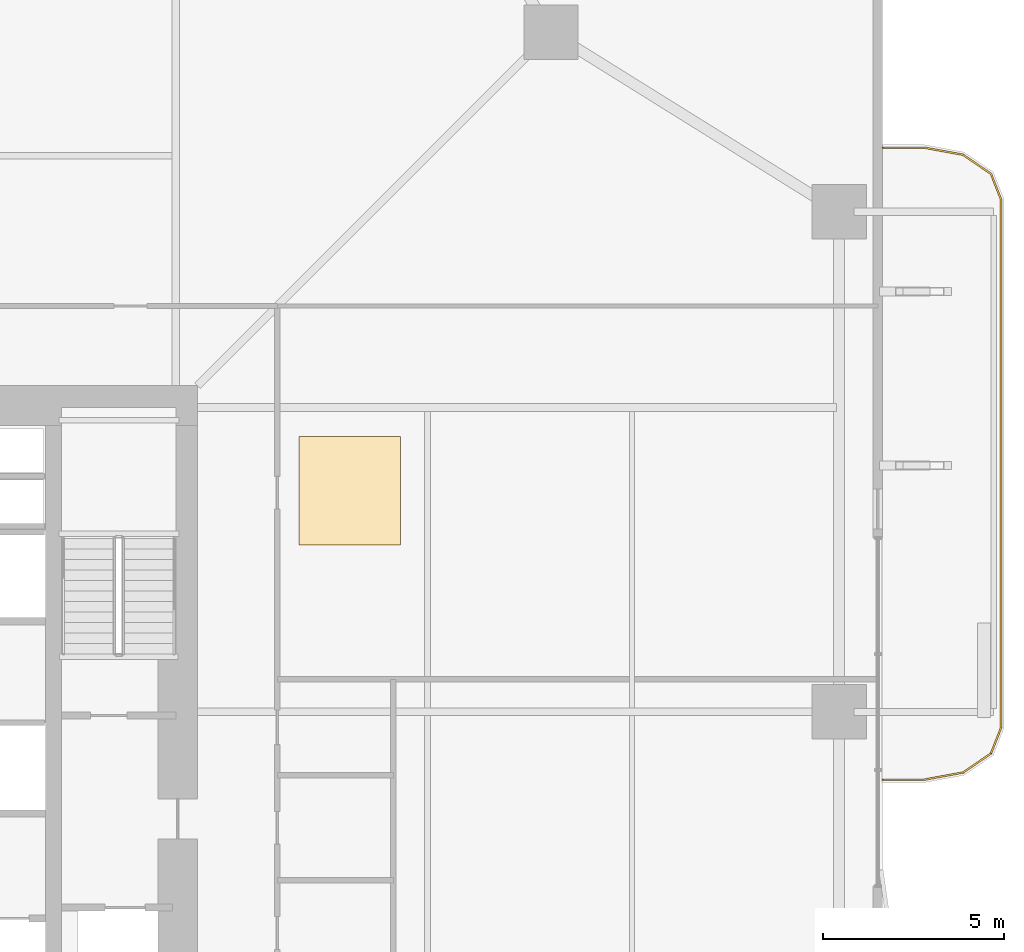
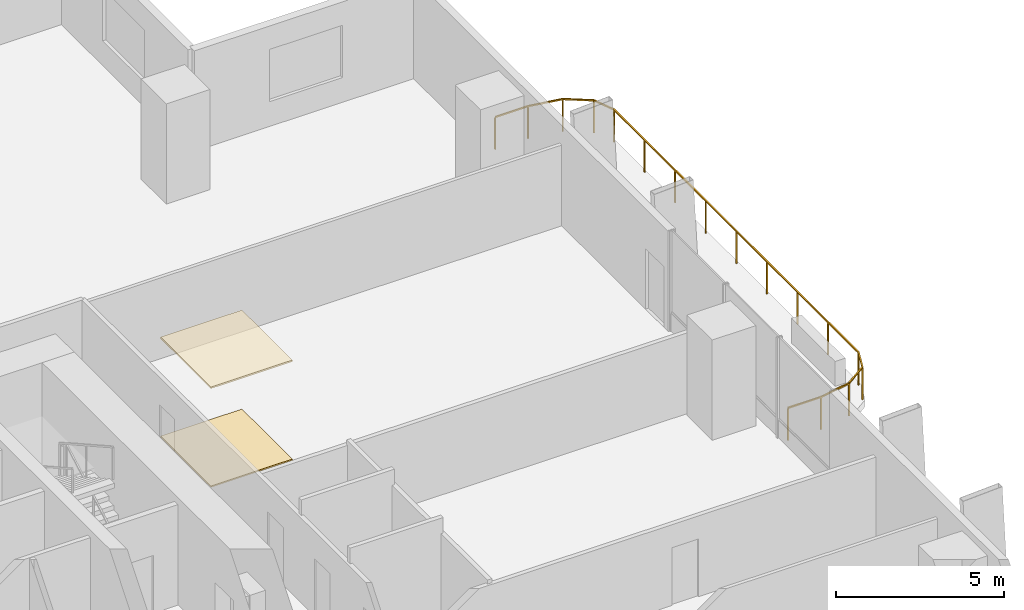
# One storey, part 24 of 24: 2 coverings, 1 railing.
"""IFC4 building model written with IfcOpenShell, lengths in metres."""

from ifc_helpers import new_model, si_unit, direction, frame, origin, origin_2d, place, context, subcontext, project, spatial, polyline, rectangle, outline, extrude, material, layer, layer_set, type_object, element, save


model = new_model("IFC4")

# Units and contexts
model_context = context("Model", 3, precision=1e-05, world=origin(), true_north=direction((0.0, 1.0)))
body_context = subcontext(model_context, "Body", "Model", "MODEL_VIEW")
ifc_project = project(units=[si_unit("LENGTHUNIT", "METRE"), si_unit("AREAUNIT", "SQUARE_METRE"), si_unit("VOLUMEUNIT", "CUBIC_METRE"), si_unit("PLANEANGLEUNIT", "RADIAN"), si_unit("MASSUNIT", "GRAM", prefix="KILO")], contexts=[model_context])

# Site, building, storey
site_placement = place(None, origin())
site = spatial("IfcSite", under=ifc_project, at=site_placement, CompositionType="ELEMENT")
building_placement = place(site_placement, origin())
building = spatial("IfcBuilding", under=site, at=building_placement, Name="Belovzor Exchange Tower", CompositionType="ELEMENT")
storey_placement = place(building_placement, frame((0.0, 0.0, 72.89990234375)))
storey = spatial("IfcBuildingStorey", under=building, at=storey_placement, Name="L17", CompositionType="ELEMENT", Elevation=72.89990234375)

# Railing
ifc_material_1 = material(Name="Stainless Steel and Laminated Safety Glass", Category="steel")
railing_type = type_object("IfcRailingType", Name="Laminated Glass & Stainless Steel Balcony Balustrade 1200", PredefinedType="BALUSTRADE", material=ifc_material_1)
railing_placement = place(storey_placement, frame((56.7099609375, 26.929931640625, 0.0)))
element("IfcRailing", 1, at=railing_placement, inside=storey, type_object=railing_type, Name="GR-1 Balcony Balustrade L17 East", PredefinedType="BALUSTRADE", context=body_context, shape_type="SweptSolid", body=[
    extrude(rectangle(XDim=0.048095703125, YDim=0.048095703125, at=origin_2d()), frame((0.0, 0.0, 1.17578125), z_axis=(1.0, 0.0, 0.0), x_axis=(0.0, 1.0, 0.0)), (0.0, 0.0, 1.0), 1.133056640625),
    extrude(rectangle(XDim=0.048095703125, YDim=0.048095703125, at=origin_2d()), frame((1.133056640625, 0.0, 1.17578125), z_axis=(0.983644145941, 0.180122719713, 0.0), x_axis=(-0.180122719713, 0.983644145941, 0.0)), (0.0, 0.0, 1.0), 1.09375),
    extrude(rectangle(XDim=0.048095703125, YDim=0.048095703125, at=origin_2d()), frame((2.208984375, 0.197021484375, 1.17578125), z_axis=(0.826493025367, 0.56294695933, 0.0), x_axis=(-0.56294695933, 0.826493025367, 0.0)), (0.0, 0.0, 1.0), 0.932861328125),
    extrude(rectangle(XDim=0.048095703125, YDim=0.048095703125, at=origin_2d()), frame((2.97998046875, 0.72216796875, 1.17578125), z_axis=(0.365612923861, 0.930766990125, 0.0), x_axis=(-0.930766990125, 0.365612923861, 0.0)), (0.0, 0.0, 1.0), 0.765869140625),
    extrude(rectangle(XDim=0.048095703125, YDim=0.048095703125, at=origin_2d()), frame((3.260009765625, 1.43505859375, 1.17578125), z_axis=(0.0, 1.0, 0.0), x_axis=(-1.0, 0.0, 0.0)), (0.0, 0.0, 1.0), 14.570068359375),
    extrude(rectangle(XDim=0.048095703125, YDim=0.048095703125, at=origin_2d()), frame((3.260009765625, 16.005126953125, 1.17578125), z_axis=(-0.365612923861, 0.930766990125, 0.0), x_axis=(-0.930766990125, -0.365612923861, 0.0)), (0.0, 0.0, 1.0), 0.765869140625),
    extrude(rectangle(XDim=0.048095703125, YDim=0.048095703125, at=origin_2d()), frame((2.97998046875, 16.718017578125, 1.17578125), z_axis=(-0.826493025367, 0.56294695933, 0.0), x_axis=(-0.56294695933, -0.826493025367, 0.0)), (0.0, 0.0, 1.0), 0.932861328125),
    extrude(rectangle(XDim=0.048095703125, YDim=0.048095703125, at=origin_2d()), frame((2.208984375, 17.2431640625, 1.17578125), z_axis=(-0.983644145941, 0.180122719713, 0.0), x_axis=(-0.180122719713, -0.983644145941, 0.0)), (0.0, 0.0, 1.0), 1.09375),
    extrude(rectangle(XDim=0.048095703125, YDim=0.048095703125, at=origin_2d()), frame((1.133056640625, 17.440185546875, 1.17578125), z_axis=(-1.0, 0.0, 0.0), x_axis=(0.0, -1.0, 0.0)), (0.0, 0.0, 1.0), 1.133056640625),
    extrude(rectangle(XDim=0.0419921875, YDim=0.0419921875, at=origin_2d()), origin(), (0.0, 0.0, 1.0), 1.15185546875),
    extrude(rectangle(XDim=0.0419921875, YDim=0.0419921875, at=origin_2d()), frame((1.133056640625, 0.0, 0.0)), (0.0, 0.0, 1.0), 1.15185546875),
    extrude(rectangle(XDim=0.0419921875, YDim=0.0419921875, at=origin_2d()), frame((2.208984375, 0.197021484375, 0.0)), (0.0, 0.0, 1.0), 1.15185546875),
    extrude(rectangle(XDim=0.0419921875, YDim=0.0419921875, at=origin_2d()), frame((2.97998046875, 0.72216796875, 0.0)), (0.0, 0.0, 1.0), 1.15185546875),
    extrude(rectangle(XDim=0.0419921875, YDim=0.0419921875, at=origin_2d()), frame((3.260009765625, 1.43505859375, 0.0)), (0.0, 0.0, 1.0), 1.15185546875),
    extrude(rectangle(XDim=0.0419921875, YDim=0.0419921875, at=origin_2d()), frame((3.260009765625, 3.25634765625, 0.0)), (0.0, 0.0, 1.0), 1.15185546875),
    extrude(rectangle(XDim=0.0419921875, YDim=0.0419921875, at=origin_2d()), frame((3.260009765625, 5.07763671875, 0.0)), (0.0, 0.0, 1.0), 1.15185546875),
    extrude(rectangle(XDim=0.0419921875, YDim=0.0419921875, at=origin_2d()), frame((3.260009765625, 6.89892578125, 0.0)), (0.0, 0.0, 1.0), 1.15185546875),
    extrude(rectangle(XDim=0.0419921875, YDim=0.0419921875, at=origin_2d()), frame((3.260009765625, 8.72021484375, 0.0)), (0.0, 0.0, 1.0), 1.15185546875),
    extrude(rectangle(XDim=0.0419921875, YDim=0.0419921875, at=origin_2d()), frame((3.260009765625, 10.541259765625, 0.0)), (0.0, 0.0, 1.0), 1.15185546875),
    extrude(rectangle(XDim=0.0419921875, YDim=0.0419921875, at=origin_2d()), frame((3.260009765625, 12.362548828125, 0.0)), (0.0, 0.0, 1.0), 1.15185546875),
    extrude(rectangle(XDim=0.0419921875, YDim=0.0419921875, at=origin_2d()), frame((3.260009765625, 14.183837890625, 0.0)), (0.0, 0.0, 1.0), 1.15185546875),
    extrude(rectangle(XDim=0.0419921875, YDim=0.0419921875, at=origin_2d()), frame((3.260009765625, 16.005126953125, 0.0)), (0.0, 0.0, 1.0), 1.15185546875),
    extrude(rectangle(XDim=0.0419921875, YDim=0.0419921875, at=origin_2d()), frame((2.97998046875, 16.718017578125, 0.0)), (0.0, 0.0, 1.0), 1.15185546875),
    extrude(rectangle(XDim=0.0419921875, YDim=0.0419921875, at=origin_2d()), frame((2.208984375, 17.2431640625, 0.0)), (0.0, 0.0, 1.0), 1.15185546875),
    extrude(rectangle(XDim=0.0419921875, YDim=0.0419921875, at=origin_2d()), frame((1.133056640625, 17.440185546875, 0.0)), (0.0, 0.0, 1.0), 1.15185546875),
    extrude(rectangle(XDim=0.0419921875, YDim=0.0419921875, at=origin_2d()), frame((0.0, 17.440185546875, 0.0)), (0.0, 0.0, 1.0), 1.15185546875),
])

# Coverings
ifc_material_2 = material(Name="Perforated Powder-Coated Aluminium", Category="aluminium")
ifc_layer_1 = layer(ifc_material_2, 0.06005859375)
ifc_layer_set_1 = layer_set([ifc_layer_1], Name="Perforated Powder-Coated Aluminium")
covering_type_1 = type_object("IfcCoveringType", Name="Perforated Acoustic Metal Tile Suspended Ceiling 60", PredefinedType="CEILING", material=ifc_layer_set_1)
covering_1_placement = place(storey_placement, frame((0.0, 0.0, 3.590087890625)))
element("IfcCovering", 2, at=covering_1_placement, inside=storey, type_object=covering_type_1, Name="CLG-AC60 Suspended Ceiling CLG-L17-Z2", PredefinedType="CEILING", context=body_context, shape_type="SweptSolid", body=[
    extrude(outline(polyline([(40.60009765625, 33.39990234375), (43.39990234375, 33.39990234375), (43.39990234375, 36.39990234375), (40.60009765625, 36.39990234375), (40.60009765625, 33.39990234375)])), origin(), (0.0, 0.0, 1.0), 0.06005859375),
])
ifc_material_3 = material(Name="Polished Natural Granite Tile", Category="masonry")
ifc_layer_2 = layer(ifc_material_3, 0.050048828125)
ifc_layer_set_2 = layer_set([ifc_layer_2], Name="Polished Natural Granite Tile")
covering_type_2 = type_object("IfcCoveringType", Name="Polished Karelian Granite & Raised Access Floor Finish 50", PredefinedType="FLOORING", material=ifc_layer_set_2)
covering_2_placement = place(storey_placement, origin())
element("IfcCovering", 3, at=covering_2_placement, inside=storey, type_object=covering_type_2, Name="FLR-GR50 Floor Finish FLR-L17-Z2", PredefinedType="FLOORING", context=body_context, shape_type="SweptSolid", body=[
    extrude(outline(polyline([(40.60009765625, 33.39990234375), (43.39990234375, 33.39990234375), (43.39990234375, 36.39990234375), (40.60009765625, 36.39990234375), (40.60009765625, 33.39990234375)])), origin(), (0.0, 0.0, 1.0), 0.050048828125),
])

save(model, "model.ifc")
